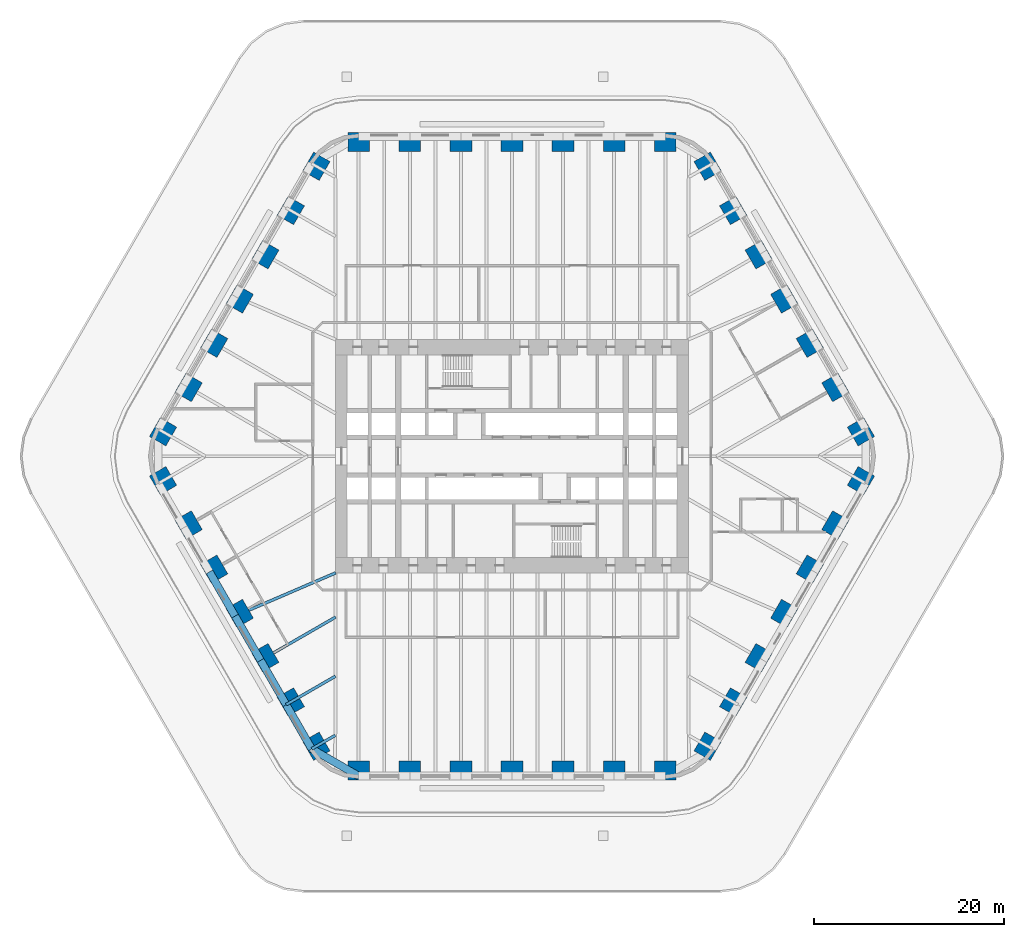
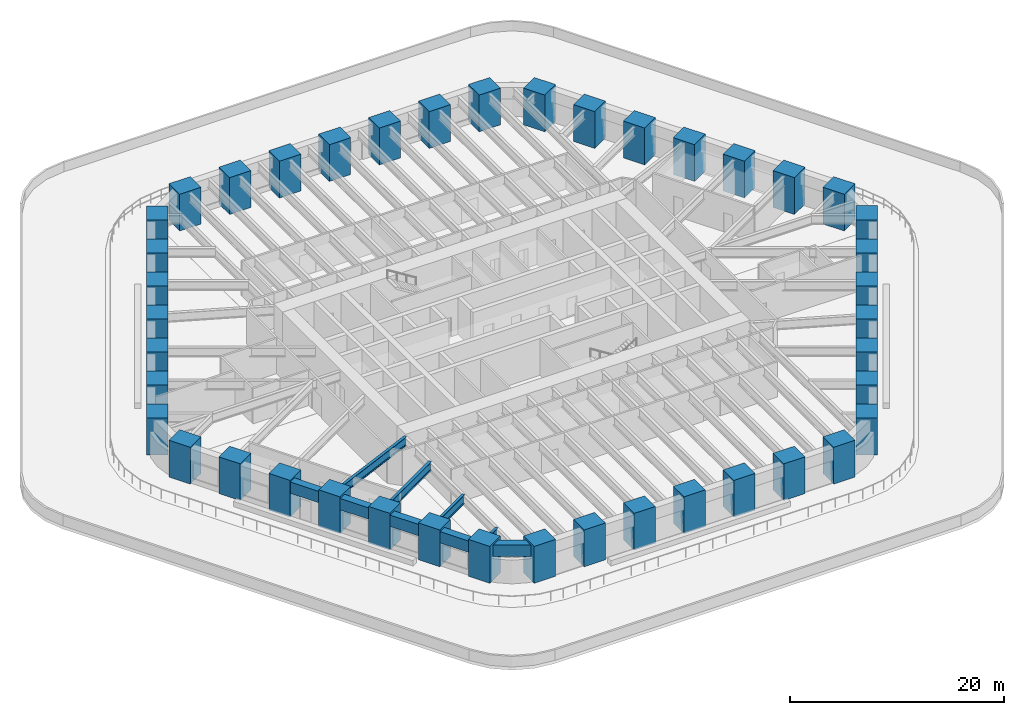
# One storey, part 1 of 17: 42 columns, 9 beams.
"""IFC4 building model written with IfcOpenShell, lengths in metres."""

from ifc_helpers import new_model, si_unit, direction, frame, origin, origin_2d, place, context, subcontext, project, spatial, rectangle, i_section, extrude, material, material_profile, profile_set, type_object, element, save


model = new_model("IFC4")

# Units and contexts
model_context = context("Model", 3, precision=1e-05, world=origin(), true_north=direction((0.0, 1.0)))
body_context = subcontext(model_context, "Body", "Model", "MODEL_VIEW")
ifc_project = project(units=[si_unit("LENGTHUNIT", "METRE"), si_unit("AREAUNIT", "SQUARE_METRE"), si_unit("VOLUMEUNIT", "CUBIC_METRE"), si_unit("PLANEANGLEUNIT", "RADIAN"), si_unit("MASSUNIT", "GRAM", prefix="KILO")], contexts=[model_context])

# Site, building, storey
site_placement = place(None, origin())
site = spatial("IfcSite", under=ifc_project, at=site_placement, CompositionType="ELEMENT")
building_placement = place(site_placement, origin())
building = spatial("IfcBuilding", under=site, at=building_placement, Name="Tarfa Lantern Tower", CompositionType="ELEMENT")
storey_placement = place(building_placement, frame((0.0, 0.0, 23.5)))
storey = spatial("IfcBuildingStorey", under=building, at=storey_placement, Name="L04", CompositionType="ELEMENT", Elevation=23.5)

# Columns
ifc_material_1 = material(Name="Concrete C80/95", Category="concrete")
ifc_material_profile_1 = material_profile(ifc_material_1, rectangle(XDim=2.300048828125, YDim=2.0, at=origin_2d()), Name="RC 2300x2000")
ifc_profile_set_1 = profile_set([ifc_material_profile_1], Name="Concrete C80/95")
column_type = type_object("IfcColumnType", Name="TC1 RC 2300x2000", PredefinedType="COLUMN", material=ifc_profile_set_1)
for number, where, z_axis, x_axis, name in (
    (1, (36.791748046875, 2.574951171875, 0.0), (0.0, 0.0, 1.0), (-0.5, 0.866025403784, 0.0), "Tube column NE0"),
    (2, (34.097412109375, 7.24169921875, 0.0), (0.0, 0.0, 1.0), (-0.5, 0.866025403784, 0.0), "Tube column NE1"),
    (3, (31.403076171875, 11.908447265625, 0.0), (0.0, 0.0, 1.0), (-0.5, 0.866025403784, 0.0), "Tube column NE2"),
    (4, (28.708740234375, 16.574951171875, 0.0), (0.0, 0.0, 1.0), (-0.5, 0.866025403784, 0.0), "Tube column NE3"),
    (5, (26.014404296875, 21.24169921875, 0.0), (0.0, 0.0, 1.0), (-0.5, 0.866025403784, 0.0), "Tube column NE4"),
    (6, (23.320068359375, 25.908447265625, 0.0), (0.0, 0.0, 1.0), (-0.5, 0.866025403784, 0.0), "Tube column NE5"),
    (7, (20.625732421875, 30.574951171875, 0.0), (0.0, 0.0, 1.0), (-0.5, 0.866025403784, 0.0), "Tube column NE6"),
    (8, (16.165771484375, 33.14990234375, 0.0), (0.0, 0.0, 1.0), (-1.0, 0.0, 0.0), "Tube column N0"),
    (9, (10.777099609375, 33.14990234375, 0.0), (0.0, 0.0, 1.0), (-1.0, 0.0, 0.0), "Tube column N1"),
    (10, (5.388671875, 33.14990234375, 0.0), (0.0, 0.0, 1.0), (-1.0, 0.0, 0.0), "Tube column N2"),
    (11, (0.0, 33.14990234375, 0.0), (0.0, 0.0, 1.0), (-1.0, 0.0, 0.0), "Tube column N3"),
    (12, (-5.388671875, 33.14990234375, 0.0), (0.0, 0.0, 1.0), (-1.0, 0.0, 0.0), "Tube column N4"),
    (13, (-10.777099609375, 33.14990234375, 0.0), (0.0, 0.0, 1.0), (-1.0, 0.0, 0.0), "Tube column N5"),
    (14, (-16.165771484375, 33.14990234375, 0.0), (0.0, 0.0, 1.0), (-1.0, 0.0, 0.0), "Tube column N6"),
    (15, (-20.625732421875, 30.574951171875, 0.0), (0.0, 0.0, 1.0), (-0.5, -0.866025403784, 0.0), "Tube column NW0"),
    (16, (-23.320068359375, 25.908447265625, 0.0), (0.0, 0.0, 1.0), (-0.5, -0.866025403784, 0.0), "Tube column NW1"),
    (17, (-26.014404296875, 21.24169921875, 0.0), (0.0, 0.0, 1.0), (-0.5, -0.866025403784, 0.0), "Tube column NW2"),
    (18, (-28.708740234375, 16.574951171875, 0.0), (0.0, 0.0, 1.0), (-0.5, -0.866025403784, 0.0), "Tube column NW3"),
    (19, (-31.403076171875, 11.908447265625, 0.0), (0.0, 0.0, 1.0), (-0.5, -0.866025403784, 0.0), "Tube column NW4"),
    (20, (-34.097412109375, 7.24169921875, 0.0), (0.0, 0.0, 1.0), (-0.5, -0.866025403784, 0.0), "Tube column NW5"),
    (21, (-36.791748046875, 2.574951171875, 0.0), (0.0, 0.0, 1.0), (-0.5, -0.866025403784, 0.0), "Tube column NW6"),
    (22, (-36.791748046875, -2.574951171875, 0.0), (0.0, 0.0, 1.0), (0.5, -0.866025403784, 0.0), "Tube column SW0"),
    (23, (-34.097412109375, -7.24169921875, 0.0), (0.0, 0.0, 1.0), (0.5, -0.866025403784, 0.0), "Tube column SW1"),
    (24, (-31.403076171875, -11.908447265625, 0.0), (0.0, 0.0, 1.0), (0.5, -0.866025403784, 0.0), "Tube column SW2"),
    (25, (-28.708740234375, -16.574951171875, 0.0), (0.0, 0.0, 1.0), (0.5, -0.866025403784, 0.0), "Tube column SW3"),
    (26, (-26.014404296875, -21.24169921875, 0.0), (0.0, 0.0, 1.0), (0.5, -0.866025403784, 0.0), "Tube column SW4"),
    (27, (-23.320068359375, -25.908447265625, 0.0), (0.0, 0.0, 1.0), (0.5, -0.866025403784, 0.0), "Tube column SW5"),
    (28, (-20.625732421875, -30.574951171875, 0.0), (0.0, 0.0, 1.0), (0.5, -0.866025403784, 0.0), "Tube column SW6"),
    (29, (-16.165771484375, -33.14990234375, 0.0), (0.0, 0.0, 1.0), (1.0, 0.0, 0.0), "Tube column S0"),
    (30, (-10.777099609375, -33.14990234375, 0.0), (0.0, 0.0, 1.0), (1.0, 0.0, 0.0), "Tube column S1"),
    (31, (-5.388671875, -33.14990234375, 0.0), (0.0, 0.0, 1.0), (1.0, 0.0, 0.0), "Tube column S2"),
    (32, (0.0, -33.14990234375, 0.0), (0.0, 0.0, 1.0), (1.0, 0.0, 0.0), "Tube column S3"),
    (33, (5.388671875, -33.14990234375, 0.0), (0.0, 0.0, 1.0), (1.0, 0.0, 0.0), "Tube column S4"),
    (34, (10.777099609375, -33.14990234375, 0.0), (0.0, 0.0, 1.0), (1.0, 0.0, 0.0), "Tube column S5"),
    (35, (16.165771484375, -33.14990234375, 0.0), (0.0, 0.0, 1.0), (1.0, 0.0, 0.0), "Tube column S6"),
    (36, (20.625732421875, -30.574951171875, 0.0), (0.0, 0.0, 1.0), (0.5, 0.866025403784, 0.0), "Tube column SE0"),
    (37, (23.320068359375, -25.908447265625, 0.0), (0.0, 0.0, 1.0), (0.5, 0.866025403784, 0.0), "Tube column SE1"),
    (38, (26.014404296875, -21.24169921875, 0.0), (0.0, 0.0, 1.0), (0.5, 0.866025403784, 0.0), "Tube column SE2"),
    (39, (28.708740234375, -16.574951171875, 0.0), (0.0, 0.0, 1.0), (0.5, 0.866025403784, 0.0), "Tube column SE3"),
    (40, (31.403076171875, -11.908447265625, 0.0), (0.0, 0.0, 1.0), (0.5, 0.866025403784, 0.0), "Tube column SE4"),
    (41, (34.097412109375, -7.24169921875, 0.0), (0.0, 0.0, 1.0), (0.5, 0.866025403784, 0.0), "Tube column SE5"),
    (42, (36.791748046875, -2.574951171875, 0.0), (0.0, 0.0, 1.0), (0.5, 0.866025403784, 0.0), "Tube column SE6"),
):
    element("IfcColumn", number, at=place(storey_placement, frame(where, z_axis=z_axis, x_axis=x_axis)), inside=storey, type_object=column_type, Name=name, PredefinedType="COLUMN", context=body_context, shape_type="SweptSolid", body=[
        extrude(rectangle(XDim=2.300048828125, YDim=2.0, at=origin_2d()), origin(), (0.0, 0.0, 1.0), 4.199951171875),
    ])

# Beams
ifc_material_profile_2 = material_profile(ifc_material_1, rectangle(XDim=0.800048828125, YDim=1.300048828125, at=origin_2d()), Name="RC 800x1300")
ifc_profile_set_2 = profile_set([ifc_material_profile_2], Name="Concrete C80/95")
beam_type_1 = type_object("IfcBeamType", Name="EB1 RC 800x1300", PredefinedType="SPANDREL", material=ifc_profile_set_2)
beam_1_placement = place(storey_placement, frame((-31.896728515625, -12.193359375, 3.35009765625), z_axis=(0.499998287579, -0.866026392449, 0.0), x_axis=(0.866026392449, 0.499998287579, 0.0)))
element("IfcBeam", 43, at=beam_1_placement, inside=storey, type_object=beam_type_1, Name="Edge beam SW2", PredefinedType="SPANDREL", context=body_context, shape_type="SweptSolid", body=[
    extrude(rectangle(XDim=0.800048828125, YDim=1.300048828125, at=origin_2d()), origin(), (0.0, 0.0, 1.0), 5.388671875),
])
beam_2_placement = place(storey_placement, frame((-29.202392578125, -16.860107421875, 3.35009765625), z_axis=(0.500017906299, -0.866015065331, 0.0), x_axis=(0.866015065331, 0.500017906299, 0.0)))
element("IfcBeam", 44, at=beam_2_placement, inside=storey, type_object=beam_type_1, Name="Edge beam SW3", PredefinedType="SPANDREL", context=body_context, shape_type="SweptSolid", body=[
    extrude(rectangle(XDim=0.800048828125, YDim=1.300048828125, at=origin_2d()), origin(), (0.0, 0.0, 1.0), 5.388427734375),
])
for number, where, z_axis, x_axis, name in (
    (45, (-26.508056640625, -21.526611328125, 3.35009765625), (0.499998287579, -0.866026392449, 0.0), (0.866026392449, 0.499998287579, 0.0), "Edge beam SW4"),
    (46, (-23.813720703125, -26.193359375, 3.35009765625), (0.499998287579, -0.866026392449, 0.0), (0.866026392449, 0.499998287579, 0.0), "Edge beam SW5"),
):
    element("IfcBeam", number, at=place(storey_placement, frame(where, z_axis=z_axis, x_axis=x_axis)), inside=storey, type_object=beam_type_1, Name=name, PredefinedType="SPANDREL", context=body_context, shape_type="SweptSolid", body=[
        extrude(rectangle(XDim=0.800048828125, YDim=1.300048828125, at=origin_2d()), origin(), (0.0, 0.0, 1.0), 5.388671875),
    ])
beam_3_placement = place(storey_placement, frame((-21.119384765625, -30.860107421875, 3.35009765625), z_axis=(0.866033479681, -0.499986011877, 0.0), x_axis=(0.499986011877, 0.866033479681, 0.0)))
element("IfcBeam", 47, at=beam_3_placement, inside=storey, type_object=beam_type_1, Name="Edge beam SW6", PredefinedType="SPANDREL", context=body_context, shape_type="SweptSolid", body=[
    extrude(rectangle(XDim=0.800048828125, YDim=1.300048828125, at=origin_2d()), origin(), (0.0, 0.0, 1.0), 5.719970703125),
])
ifc_material_2 = material(Name="Steel S460M", Category="steel")
ifc_material_profile_3 = material_profile(ifc_material_2, i_section(OverallWidth=0.302001953125, OverallDepth=1.008056640625, WebThickness=0.02099609375, FlangeThickness=0.0400390625, FilletRadius=0.030029296875, at=origin_2d()), Name="UB1016x305x349")
ifc_profile_set_3 = profile_set([ifc_material_profile_3], Name="Steel S460M")
beam_type_2 = type_object("IfcBeamType", Name="UB1016x305x349", PredefinedType="BEAM", material=ifc_profile_set_3)
beam_4_placement = place(storey_placement, frame((-29.202392578125, -16.860107421875, 3.495849609375), z_axis=(0.918635483867, 0.395106122175, 0.0), x_axis=(-0.395106122175, 0.918635483867, 0.0)))
element("IfcBeam", 48, at=beam_4_placement, inside=storey, type_object=beam_type_2, Name="Floor beam SW3", PredefinedType="BEAM", context=body_context, shape_type="SweptSolid", body=[
    extrude(i_section(OverallWidth=0.302001953125, OverallDepth=1.008056640625, WebThickness=0.02099609375, FlangeThickness=0.0400390625, FilletRadius=0.030029296875, at=origin_2d()), origin(), (0.0, 0.0, 1.0), 11.541259765625),
])
beam_5_placement = place(storey_placement, frame((-26.508056640625, -21.526611328125, 3.495849609375), z_axis=(0.866035355799, 0.49998276221, 0.0), x_axis=(-0.49998276221, 0.866035355799, 0.0)))
element("IfcBeam", 49, at=beam_5_placement, inside=storey, type_object=beam_type_2, Name="Floor beam SW4", PredefinedType="BEAM", context=body_context, shape_type="SweptSolid", body=[
    extrude(i_section(OverallWidth=0.302001953125, OverallDepth=1.008056640625, WebThickness=0.02099609375, FlangeThickness=0.0400390625, FilletRadius=0.030029296875, at=origin_2d()), origin(), (0.0, 0.0, 1.0), 9.119873046875),
])
beam_6_placement = place(storey_placement, frame((-23.813720703125, -26.193359375, 3.495849609375), z_axis=(0.866015997389, 0.500016292001, 0.0), x_axis=(-0.500016292001, 0.866015997389, 0.0)))
element("IfcBeam", 50, at=beam_6_placement, inside=storey, type_object=beam_type_2, Name="Floor beam SW5", PredefinedType="BEAM", context=body_context, shape_type="SweptSolid", body=[
    extrude(i_section(OverallWidth=0.302001953125, OverallDepth=1.008056640625, WebThickness=0.02099609375, FlangeThickness=0.0400390625, FilletRadius=0.030029296875, at=origin_2d()), origin(), (0.0, 0.0, 1.0), 5.993408203125),
])
beam_7_placement = place(storey_placement, frame((-21.119384765625, -30.860107421875, 3.495849609375), z_axis=(0.866012580594, 0.500022209759, 0.0), x_axis=(-0.500022209759, 0.866012580594, 0.0)))
element("IfcBeam", 51, at=beam_7_placement, inside=storey, type_object=beam_type_2, Name="Floor beam SW6", PredefinedType="BEAM", context=body_context, shape_type="SweptSolid", body=[
    extrude(i_section(OverallWidth=0.302001953125, OverallDepth=1.008056640625, WebThickness=0.02099609375, FlangeThickness=0.0400390625, FilletRadius=0.030029296875, at=origin_2d()), origin(), (0.0, 0.0, 1.0), 2.866943359375),
])

save(model, "model.ifc")
